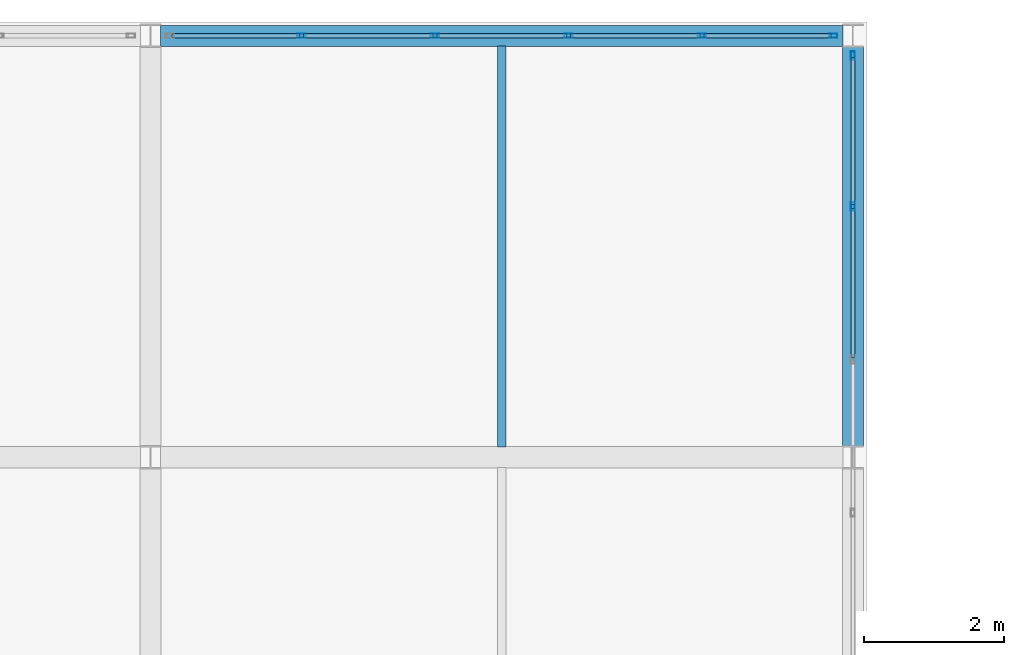
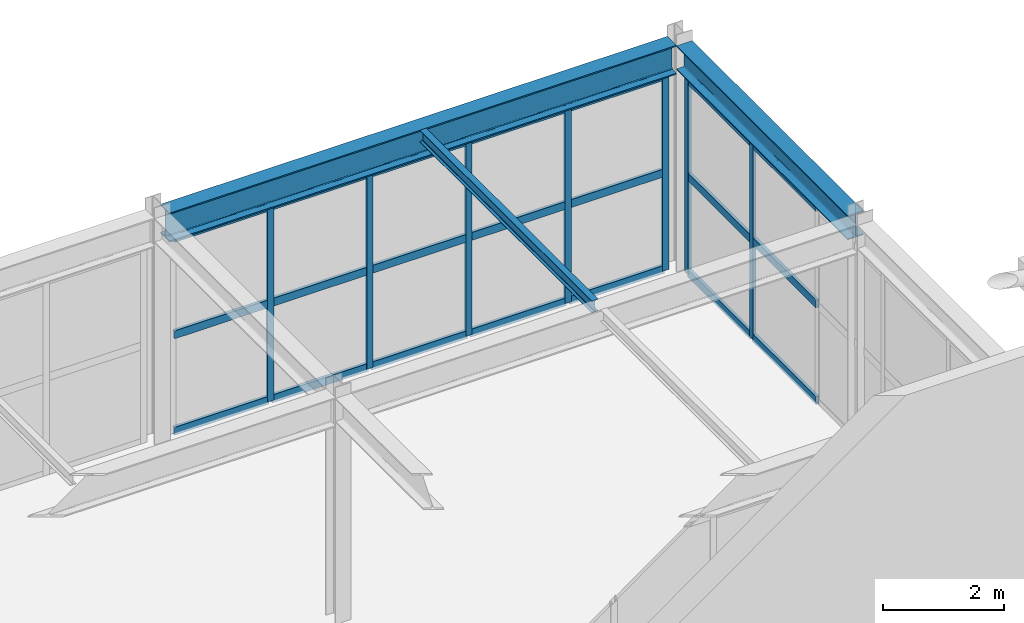
# One storey, part 86 of 112: 28 members, 3 beams, 2 elements without a shape of their own.
"""IFC4 building model written with IfcOpenShell, lengths in metres."""

from ifc_helpers import new_model, si_unit, direction, frame, origin, origin_2d, place, context, subcontext, project, spatial, hollow_rectangle, i_section, extrude, material, material_profile, profile_set, type_object, element, aggregate, save


model = new_model("IFC4")

# Units and contexts
model_context = context("Model", 3, precision=1e-05, world=origin(), true_north=direction((0.0, 1.0)))
body_context = subcontext(model_context, "Body", "Model", "MODEL_VIEW")
ifc_project = project(units=[si_unit("LENGTHUNIT", "METRE"), si_unit("AREAUNIT", "SQUARE_METRE"), si_unit("VOLUMEUNIT", "CUBIC_METRE"), si_unit("PLANEANGLEUNIT", "RADIAN"), si_unit("MASSUNIT", "GRAM", prefix="KILO")], contexts=[model_context])

# Site, building, storey
site_placement = place(None, origin())
site = spatial("IfcSite", under=ifc_project, at=site_placement, CompositionType="ELEMENT")
building_placement = place(site_placement, origin())
building = spatial("IfcBuilding", under=site, at=building_placement, Name="Kaldris Quays Convention Centre", CompositionType="ELEMENT")
storey_placement = place(building_placement, frame((0.0, 0.0, 16.800048828125)))
storey = spatial("IfcBuildingStorey", under=building, at=storey_placement, Name="L03", CompositionType="ELEMENT", Elevation=16.800048828125)

# Curtain wall, members
ifc_material_1 = material(Name="Anodized aluminium AW-6060 and triple glazing", Category="aluminium")
curtain_wall_type = type_object("IfcCurtainWallType", Name="UNITISED CURTAIN WALL CW06", PredefinedType="NOTDEFINED", material=ifc_material_1)
curtain_wall_1_placement = place(storey_placement, origin())
curtain_wall_1 = element("IfcCurtainWall", 1, at=curtain_wall_1_placement, inside=storey, type_object=curtain_wall_type, Name="L03 Unitised Curtain Wall CW06 177", PredefinedType="NOTDEFINED")
ifc_material_2 = material(Name="Anodized aluminium AW-6060", Category="aluminium")
ifc_material_profile_1 = material_profile(ifc_material_2, hollow_rectangle(XDim=0.06005859375, YDim=0.1201171875, WallThickness=0.00390625, at=origin_2d()), Name="RHS 120x60x4")
ifc_profile_set_1 = profile_set([ifc_material_profile_1], Name="Anodized aluminium AW-6060")
member_type_1 = type_object("IfcMemberType", Name="CURTAIN MULLION CWM3", PredefinedType="MULLION", material=ifc_profile_set_1)
member_1_placement = place(storey_placement, frame((186.14990234375, 116.0, 0.0), z_axis=(0.0, 0.0, 1.0), x_axis=(0.0, 1.0, 0.0)))
member_1 = element("IfcMember", 2, at=member_1_placement, type_object=member_type_1, Name="CW06 mullion 2", PredefinedType="MULLION", context=body_context, shape_type="SweptSolid", body=[
    extrude(hollow_rectangle(XDim=0.06005859375, YDim=0.1201171875, WallThickness=0.00390625, at=origin_2d()), origin(), (0.0, 0.0, 1.0), 3.967041015625),
])
member_2_placement = place(storey_placement, frame((188.050048828125, 116.0, 0.0), z_axis=(0.0, 0.0, 1.0), x_axis=(0.0, 1.0, 0.0)))
member_2 = element("IfcMember", 3, at=member_2_placement, type_object=member_type_1, Name="CW06 mullion 3", PredefinedType="MULLION", context=body_context, shape_type="SweptSolid", body=[
    extrude(hollow_rectangle(XDim=0.06005859375, YDim=0.1201171875, WallThickness=0.00390625, at=origin_2d()), origin(), (0.0, 0.0, 1.0), 3.967041015625),
])
member_3_placement = place(storey_placement, frame((189.949951171875, 116.0, 0.0), z_axis=(0.0, 0.0, 1.0), x_axis=(0.0, 1.0, 0.0)))
member_3 = element("IfcMember", 4, at=member_3_placement, type_object=member_type_1, Name="CW06 mullion 4", PredefinedType="MULLION", context=body_context, shape_type="SweptSolid", body=[
    extrude(hollow_rectangle(XDim=0.06005859375, YDim=0.1201171875, WallThickness=0.00390625, at=origin_2d()), origin(), (0.0, 0.0, 1.0), 3.967041015625),
])
member_4_placement = place(storey_placement, frame((191.85009765625, 116.0, 0.0), z_axis=(0.0, 0.0, 1.0), x_axis=(0.0, 1.0, 0.0)))
member_4 = element("IfcMember", 5, at=member_4_placement, type_object=member_type_1, Name="CW06 mullion 5", PredefinedType="MULLION", context=body_context, shape_type="SweptSolid", body=[
    extrude(hollow_rectangle(XDim=0.06005859375, YDim=0.1201171875, WallThickness=0.00390625, at=origin_2d()), origin(), (0.0, 0.0, 1.0), 3.967041015625),
])
member_5_placement = place(storey_placement, frame((193.719970703125, 116.0, 0.0), z_axis=(0.0, 0.0, 1.0), x_axis=(0.0, 1.0, 0.0)))
member_5 = element("IfcMember", 6, at=member_5_placement, type_object=member_type_1, Name="CW06 mullion 6", PredefinedType="MULLION", context=body_context, shape_type="SweptSolid", body=[
    extrude(hollow_rectangle(XDim=0.06005859375, YDim=0.1201171875, WallThickness=0.00390625, at=origin_2d()), origin(), (0.0, 0.0, 1.0), 3.967041015625),
])

curtain_wall_2_placement = place(storey_placement, origin())
curtain_wall_2 = element("IfcCurtainWall", 7, at=curtain_wall_2_placement, inside=storey, type_object=curtain_wall_type, Name="L03 Unitised Curtain Wall CW06 179", PredefinedType="NOTDEFINED")
member_6_placement = place(storey_placement, frame((194.0, 113.570068359375, 0.0), z_axis=(0.0, 0.0, 1.0), x_axis=(-1.0, 0.0, 0.0)))
member_6 = element("IfcMember", 8, at=member_6_placement, type_object=member_type_1, Name="CW06 mullion 5", PredefinedType="MULLION", context=body_context, shape_type="SweptSolid", body=[
    extrude(hollow_rectangle(XDim=0.06005859375, YDim=0.1201171875, WallThickness=0.00390625, at=origin_2d()), origin(), (0.0, 0.0, 1.0), 3.967041015625),
])
member_7_placement = place(storey_placement, frame((194.0, 115.719970703125, 0.0), z_axis=(0.0, 0.0, 1.0), x_axis=(-1.0, 0.0, 0.0)))
member_7 = element("IfcMember", 9, at=member_7_placement, type_object=member_type_1, Name="CW06 mullion 6", PredefinedType="MULLION", context=body_context, shape_type="SweptSolid", body=[
    extrude(hollow_rectangle(XDim=0.06005859375, YDim=0.1201171875, WallThickness=0.00390625, at=origin_2d()), origin(), (0.0, 0.0, 1.0), 3.967041015625),
])

# Member
ifc_material_profile_2 = material_profile(ifc_material_2, hollow_rectangle(XDim=0.06005859375, YDim=0.159912109375, WallThickness=0.00390625, at=origin_2d()), Name="RHS 160x60x4")
ifc_profile_set_2 = profile_set([ifc_material_profile_2], Name="Anodized aluminium AW-6060")
member_type_2 = type_object("IfcMemberType", Name="CURTAIN TRANSOM CWT2", PredefinedType="USERDEFINED", material=ifc_profile_set_2)
member_8_placement = place(storey_placement, frame((184.31005859375, 116.0, 0.030029296875), z_axis=(1.0, 0.0, 0.0), x_axis=(0.0, 1.0, 0.0)))
member_8 = element("IfcMember", 10, at=member_8_placement, type_object=member_type_2, Name="CW06 transom 1.1", ObjectType="TRANSOM", PredefinedType="USERDEFINED", context=body_context, shape_type="SweptSolid", body=[
    extrude(hollow_rectangle(XDim=0.06005859375, YDim=0.159912109375, WallThickness=0.00390625, at=origin_2d()), origin(), (0.0, 0.0, 1.0), 1.81005859375),
])

member_9_placement = place(storey_placement, frame((184.31005859375, 116.0, 1.98388671875), z_axis=(1.0, 0.0, 0.0), x_axis=(0.0, 1.0, 0.0)))
member_9 = element("IfcMember", 11, at=member_9_placement, type_object=member_type_2, Name="CW06 transom 1.2", ObjectType="TRANSOM", PredefinedType="USERDEFINED", context=body_context, shape_type="SweptSolid", body=[
    extrude(hollow_rectangle(XDim=0.06005859375, YDim=0.159912109375, WallThickness=0.00390625, at=origin_2d()), origin(), (0.0, 0.0, 1.0), 1.81005859375),
])

member_10_placement = place(storey_placement, frame((184.31005859375, 116.0, 3.93701171875), z_axis=(1.0, 0.0, 0.0), x_axis=(0.0, 1.0, 0.0)))
member_10 = element("IfcMember", 12, at=member_10_placement, type_object=member_type_2, Name="CW06 transom 1.3", ObjectType="TRANSOM", PredefinedType="USERDEFINED", context=body_context, shape_type="SweptSolid", body=[
    extrude(hollow_rectangle(XDim=0.06005859375, YDim=0.159912109375, WallThickness=0.00390625, at=origin_2d()), origin(), (0.0, 0.0, 1.0), 1.81005859375),
])

member_11_placement = place(storey_placement, frame((186.179931640625, 116.0, 0.030029296875), z_axis=(1.0, 0.0, 0.0), x_axis=(0.0, 1.0, 0.0)))
member_11 = element("IfcMember", 13, at=member_11_placement, type_object=member_type_2, Name="CW06 transom 2.1", ObjectType="TRANSOM", PredefinedType="USERDEFINED", context=body_context, shape_type="SweptSolid", body=[
    extrude(hollow_rectangle(XDim=0.06005859375, YDim=0.159912109375, WallThickness=0.00390625, at=origin_2d()), origin(), (0.0, 0.0, 1.0), 1.840087890625),
])

member_12_placement = place(storey_placement, frame((186.179931640625, 116.0, 1.98388671875), z_axis=(1.0, 0.0, 0.0), x_axis=(0.0, 1.0, 0.0)))
member_12 = element("IfcMember", 14, at=member_12_placement, type_object=member_type_2, Name="CW06 transom 2.2", ObjectType="TRANSOM", PredefinedType="USERDEFINED", context=body_context, shape_type="SweptSolid", body=[
    extrude(hollow_rectangle(XDim=0.06005859375, YDim=0.159912109375, WallThickness=0.00390625, at=origin_2d()), origin(), (0.0, 0.0, 1.0), 1.840087890625),
])

member_13_placement = place(storey_placement, frame((186.179931640625, 116.0, 3.93701171875), z_axis=(1.0, 0.0, 0.0), x_axis=(0.0, 1.0, 0.0)))
member_13 = element("IfcMember", 15, at=member_13_placement, type_object=member_type_2, Name="CW06 transom 2.3", ObjectType="TRANSOM", PredefinedType="USERDEFINED", context=body_context, shape_type="SweptSolid", body=[
    extrude(hollow_rectangle(XDim=0.06005859375, YDim=0.159912109375, WallThickness=0.00390625, at=origin_2d()), origin(), (0.0, 0.0, 1.0), 1.840087890625),
])

member_14_placement = place(storey_placement, frame((188.080078125, 116.0, 0.030029296875), z_axis=(1.0, 0.0, 0.0), x_axis=(0.0, 1.0, 0.0)))
member_14 = element("IfcMember", 16, at=member_14_placement, type_object=member_type_2, Name="CW06 transom 3.1", ObjectType="TRANSOM", PredefinedType="USERDEFINED", context=body_context, shape_type="SweptSolid", body=[
    extrude(hollow_rectangle(XDim=0.06005859375, YDim=0.159912109375, WallThickness=0.00390625, at=origin_2d()), origin(), (0.0, 0.0, 1.0), 1.83984375),
])

member_15_placement = place(storey_placement, frame((188.080078125, 116.0, 1.98388671875), z_axis=(1.0, 0.0, 0.0), x_axis=(0.0, 1.0, 0.0)))
member_15 = element("IfcMember", 17, at=member_15_placement, type_object=member_type_2, Name="CW06 transom 3.2", ObjectType="TRANSOM", PredefinedType="USERDEFINED", context=body_context, shape_type="SweptSolid", body=[
    extrude(hollow_rectangle(XDim=0.06005859375, YDim=0.159912109375, WallThickness=0.00390625, at=origin_2d()), origin(), (0.0, 0.0, 1.0), 1.83984375),
])

member_16_placement = place(storey_placement, frame((188.080078125, 116.0, 3.93701171875), z_axis=(1.0, 0.0, 0.0), x_axis=(0.0, 1.0, 0.0)))
member_16 = element("IfcMember", 18, at=member_16_placement, type_object=member_type_2, Name="CW06 transom 3.3", ObjectType="TRANSOM", PredefinedType="USERDEFINED", context=body_context, shape_type="SweptSolid", body=[
    extrude(hollow_rectangle(XDim=0.06005859375, YDim=0.159912109375, WallThickness=0.00390625, at=origin_2d()), origin(), (0.0, 0.0, 1.0), 1.83984375),
])

member_17_placement = place(storey_placement, frame((189.97998046875, 116.0, 0.030029296875), z_axis=(1.0, 0.0, 0.0), x_axis=(0.0, 1.0, 0.0)))
member_17 = element("IfcMember", 19, at=member_17_placement, type_object=member_type_2, Name="CW06 transom 4.1", ObjectType="TRANSOM", PredefinedType="USERDEFINED", context=body_context, shape_type="SweptSolid", body=[
    extrude(hollow_rectangle(XDim=0.06005859375, YDim=0.159912109375, WallThickness=0.00390625, at=origin_2d()), origin(), (0.0, 0.0, 1.0), 1.840087890625),
])

member_18_placement = place(storey_placement, frame((189.97998046875, 116.0, 1.98388671875), z_axis=(1.0, 0.0, 0.0), x_axis=(0.0, 1.0, 0.0)))
member_18 = element("IfcMember", 20, at=member_18_placement, type_object=member_type_2, Name="CW06 transom 4.2", ObjectType="TRANSOM", PredefinedType="USERDEFINED", context=body_context, shape_type="SweptSolid", body=[
    extrude(hollow_rectangle(XDim=0.06005859375, YDim=0.159912109375, WallThickness=0.00390625, at=origin_2d()), origin(), (0.0, 0.0, 1.0), 1.840087890625),
])

member_19_placement = place(storey_placement, frame((189.97998046875, 116.0, 3.93701171875), z_axis=(1.0, 0.0, 0.0), x_axis=(0.0, 1.0, 0.0)))
member_19 = element("IfcMember", 21, at=member_19_placement, type_object=member_type_2, Name="CW06 transom 4.3", ObjectType="TRANSOM", PredefinedType="USERDEFINED", context=body_context, shape_type="SweptSolid", body=[
    extrude(hollow_rectangle(XDim=0.06005859375, YDim=0.159912109375, WallThickness=0.00390625, at=origin_2d()), origin(), (0.0, 0.0, 1.0), 1.840087890625),
])

member_20_placement = place(storey_placement, frame((191.8798828125, 116.0, 0.030029296875), z_axis=(1.0, 0.0, 0.0), x_axis=(0.0, 1.0, 0.0)))
member_20 = element("IfcMember", 22, at=member_20_placement, type_object=member_type_2, Name="CW06 transom 5.1", ObjectType="TRANSOM", PredefinedType="USERDEFINED", context=body_context, shape_type="SweptSolid", body=[
    extrude(hollow_rectangle(XDim=0.06005859375, YDim=0.159912109375, WallThickness=0.00390625, at=origin_2d()), origin(), (0.0, 0.0, 1.0), 1.81005859375),
])

member_21_placement = place(storey_placement, frame((191.8798828125, 116.0, 1.98388671875), z_axis=(1.0, 0.0, 0.0), x_axis=(0.0, 1.0, 0.0)))
member_21 = element("IfcMember", 23, at=member_21_placement, type_object=member_type_2, Name="CW06 transom 5.2", ObjectType="TRANSOM", PredefinedType="USERDEFINED", context=body_context, shape_type="SweptSolid", body=[
    extrude(hollow_rectangle(XDim=0.06005859375, YDim=0.159912109375, WallThickness=0.00390625, at=origin_2d()), origin(), (0.0, 0.0, 1.0), 1.81005859375),
])

member_22_placement = place(storey_placement, frame((191.8798828125, 116.0, 3.93701171875), z_axis=(1.0, 0.0, 0.0), x_axis=(0.0, 1.0, 0.0)))
member_22 = element("IfcMember", 24, at=member_22_placement, type_object=member_type_2, Name="CW06 transom 5.3", ObjectType="TRANSOM", PredefinedType="USERDEFINED", context=body_context, shape_type="SweptSolid", body=[
    extrude(hollow_rectangle(XDim=0.06005859375, YDim=0.159912109375, WallThickness=0.00390625, at=origin_2d()), origin(), (0.0, 0.0, 1.0), 1.81005859375),
])

aggregate(curtain_wall_1, [member_1, member_2, member_3, member_4, member_5, member_8, member_9, member_10, member_11, member_12, member_13, member_14, member_15, member_16, member_17, member_18, member_19, member_20, member_21, member_22])

member_23_placement = place(storey_placement, frame((194.0, 111.419921875, 0.030029296875), z_axis=(0.0, 1.0, 0.0), x_axis=(-1.0, 0.0, 0.0)))
member_23 = element("IfcMember", 25, at=member_23_placement, type_object=member_type_2, Name="CW06 transom 4.1", ObjectType="TRANSOM", PredefinedType="USERDEFINED", context=body_context, shape_type="SweptSolid", body=[
    extrude(hollow_rectangle(XDim=0.06005859375, YDim=0.159912109375, WallThickness=0.00390625, at=origin_2d()), origin(), (0.0, 0.0, 1.0), 2.1201171875),
])

member_24_placement = place(storey_placement, frame((194.0, 111.419921875, 1.98388671875), z_axis=(0.0, 1.0, 0.0), x_axis=(-1.0, 0.0, 0.0)))
member_24 = element("IfcMember", 26, at=member_24_placement, type_object=member_type_2, Name="CW06 transom 4.2", ObjectType="TRANSOM", PredefinedType="USERDEFINED", context=body_context, shape_type="SweptSolid", body=[
    extrude(hollow_rectangle(XDim=0.06005859375, YDim=0.159912109375, WallThickness=0.00390625, at=origin_2d()), origin(), (0.0, 0.0, 1.0), 2.1201171875),
])

member_25_placement = place(storey_placement, frame((194.0, 111.419921875, 3.93701171875), z_axis=(0.0, 1.0, 0.0), x_axis=(-1.0, 0.0, 0.0)))
member_25 = element("IfcMember", 27, at=member_25_placement, type_object=member_type_2, Name="CW06 transom 4.3", ObjectType="TRANSOM", PredefinedType="USERDEFINED", context=body_context, shape_type="SweptSolid", body=[
    extrude(hollow_rectangle(XDim=0.06005859375, YDim=0.159912109375, WallThickness=0.00390625, at=origin_2d()), origin(), (0.0, 0.0, 1.0), 2.1201171875),
])

member_26_placement = place(storey_placement, frame((194.0, 113.60009765625, 0.030029296875), z_axis=(0.0, 1.0, 0.0), x_axis=(-1.0, 0.0, 0.0)))
member_26 = element("IfcMember", 28, at=member_26_placement, type_object=member_type_2, Name="CW06 transom 5.1", ObjectType="TRANSOM", PredefinedType="USERDEFINED", context=body_context, shape_type="SweptSolid", body=[
    extrude(hollow_rectangle(XDim=0.06005859375, YDim=0.159912109375, WallThickness=0.00390625, at=origin_2d()), origin(), (0.0, 0.0, 1.0), 2.08984375),
])

member_27_placement = place(storey_placement, frame((194.0, 113.60009765625, 1.98388671875), z_axis=(0.0, 1.0, 0.0), x_axis=(-1.0, 0.0, 0.0)))
member_27 = element("IfcMember", 29, at=member_27_placement, type_object=member_type_2, Name="CW06 transom 5.2", ObjectType="TRANSOM", PredefinedType="USERDEFINED", context=body_context, shape_type="SweptSolid", body=[
    extrude(hollow_rectangle(XDim=0.06005859375, YDim=0.159912109375, WallThickness=0.00390625, at=origin_2d()), origin(), (0.0, 0.0, 1.0), 2.08984375),
])

member_28_placement = place(storey_placement, frame((194.0, 113.60009765625, 3.93701171875), z_axis=(0.0, 1.0, 0.0), x_axis=(-1.0, 0.0, 0.0)))
member_28 = element("IfcMember", 30, at=member_28_placement, type_object=member_type_2, Name="CW06 transom 5.3", ObjectType="TRANSOM", PredefinedType="USERDEFINED", context=body_context, shape_type="SweptSolid", body=[
    extrude(hollow_rectangle(XDim=0.06005859375, YDim=0.159912109375, WallThickness=0.00390625, at=origin_2d()), origin(), (0.0, 0.0, 1.0), 2.08984375),
])

aggregate(curtain_wall_2, [member_6, member_7, member_23, member_24, member_25, member_26, member_27, member_28])

# Beams
ifc_material_3 = material(Name="Steel S355J2", Category="steel")
ifc_material_profile_3 = material_profile(ifc_material_3, i_section(OverallWidth=0.300048828125, OverallDepth=0.590087890625, WebThickness=0.012939453125, FlangeThickness=0.02490234375, FilletRadius=0.027099609375, at=origin_2d()), Name="HEA 600")
ifc_profile_set_3 = profile_set([ifc_material_profile_3], Name="Steel S355J2")
beam_type_1 = type_object("IfcBeamType", Name="STRUCTURAL BEAM BM08", PredefinedType="BEAM", material=ifc_profile_set_3)
beam_1_placement = place(storey_placement, frame((184.14404296875, 116.0, 4.286865234375), z_axis=(1.0, 0.0, 0.0), x_axis=(0.0, 1.0, 0.0)))
element("IfcBeam", 31, at=beam_1_placement, inside=storey, type_object=beam_type_1, Name="L03 Girder BM08 55", PredefinedType="BEAM", context=body_context, shape_type="SweptSolid", body=[
    extrude(i_section(OverallWidth=0.300048828125, OverallDepth=0.590087890625, WebThickness=0.012939453125, FlangeThickness=0.02490234375, FilletRadius=0.027099609375, at=origin_2d()), origin(), (0.0, 0.0, 1.0), 9.7119140625),
])
ifc_material_profile_4 = material_profile(ifc_material_3, i_section(OverallWidth=0.300048828125, OverallDepth=0.489990234375, WebThickness=0.011962890625, FlangeThickness=0.02294921875, FilletRadius=0.027099609375, at=origin_2d()), Name="HEA 500")
ifc_profile_set_4 = profile_set([ifc_material_profile_4], Name="Steel S355J2")
beam_type_2 = type_object("IfcBeamType", Name="STRUCTURAL BEAM BM09", PredefinedType="BEAM", material=ifc_profile_set_4)
beam_2_placement = place(storey_placement, frame((194.0, 110.158935546875, 4.3369140625), z_axis=(0.0, 1.0, 0.0), x_axis=(-1.0, 0.0, 0.0)))
element("IfcBeam", 32, at=beam_2_placement, inside=storey, type_object=beam_type_2, Name="L03 Girder BM09 109", PredefinedType="BEAM", context=body_context, shape_type="SweptSolid", body=[
    extrude(i_section(OverallWidth=0.300048828125, OverallDepth=0.489990234375, WebThickness=0.011962890625, FlangeThickness=0.02294921875, FilletRadius=0.027099609375, at=origin_2d()), origin(), (0.0, 0.0, 1.0), 5.68212890625),
])
ifc_material_profile_5 = material_profile(ifc_material_3, i_section(OverallWidth=0.1201171875, OverallDepth=0.239990234375, WebThickness=0.006103515625, FlangeThickness=0.009765625, FilletRadius=0.014892578125, at=origin_2d()), Name="IPE 240")
ifc_profile_set_5 = profile_set([ifc_material_profile_5], Name="Steel S355J2")
beam_type_3 = type_object("IfcBeamType", Name="STRUCTURAL BEAM JT05", PredefinedType="JOIST", material=ifc_profile_set_5)
beam_3_placement = place(storey_placement, frame((189.0, 110.14404296875, 4.4619140625), z_axis=(0.0, 1.0, 0.0), x_axis=(-1.0, 0.0, 0.0)))
element("IfcBeam", 33, at=beam_3_placement, inside=storey, type_object=beam_type_3, Name="L03 Secondary Joist JT05 35", PredefinedType="JOIST", context=body_context, shape_type="SweptSolid", body=[
    extrude(i_section(OverallWidth=0.1201171875, OverallDepth=0.239990234375, WebThickness=0.006103515625, FlangeThickness=0.009765625, FilletRadius=0.014892578125, at=origin_2d()), origin(), (0.0, 0.0, 1.0), 5.7119140625),
])

save(model, "model.ifc")
